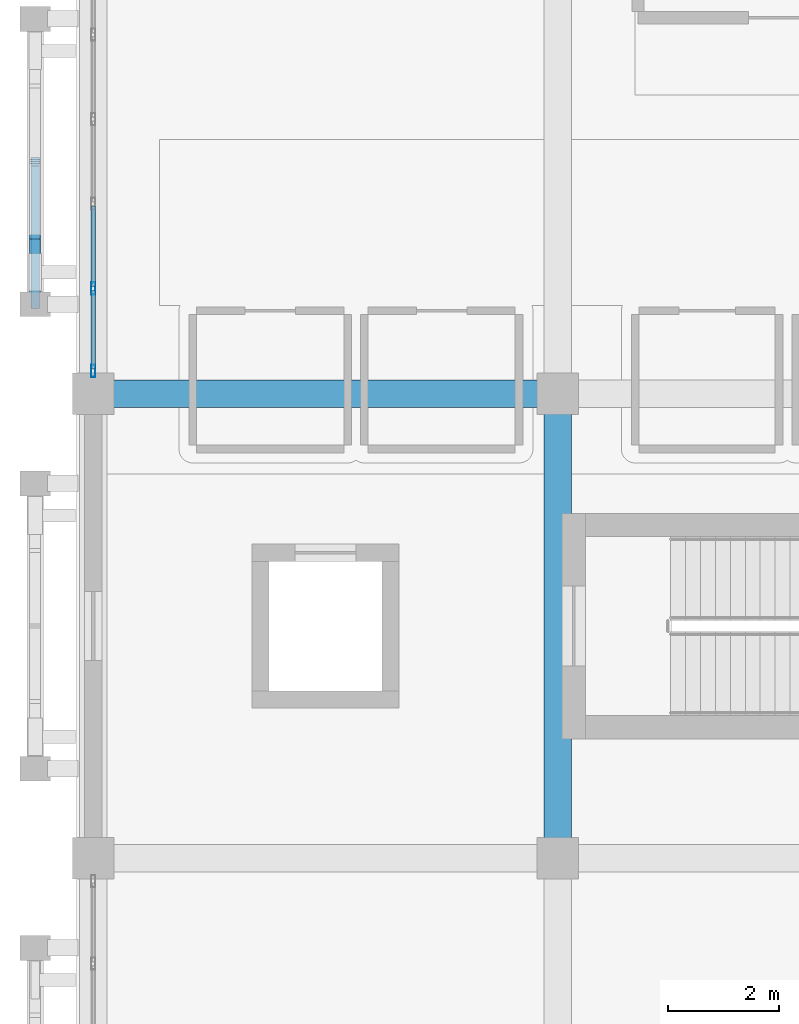
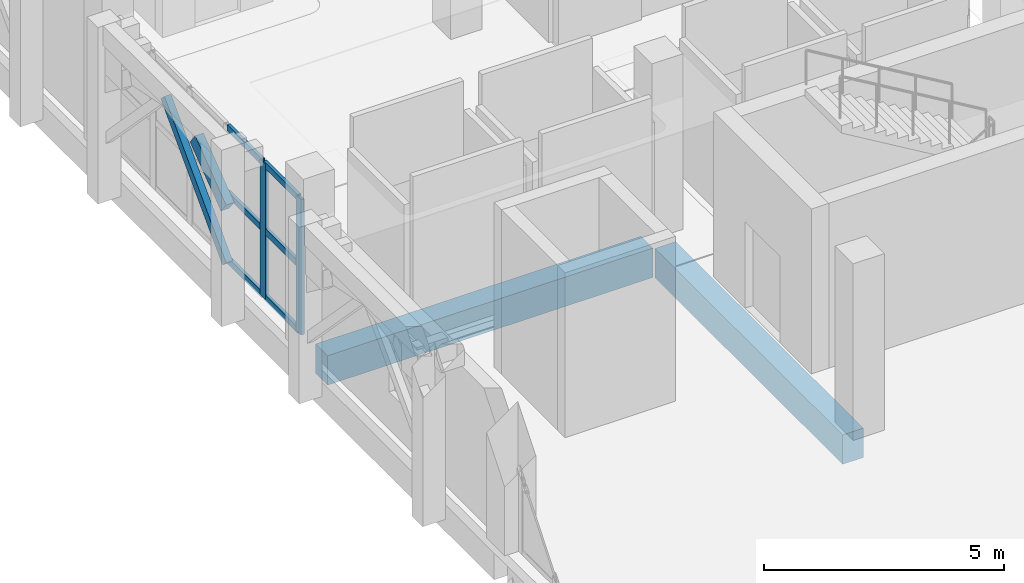
# One storey, part 43 of 114: 10 members, 2 beams, 1 element without a shape of its own.
"""IFC4 building model written with IfcOpenShell, lengths in metres."""

from ifc_helpers import new_model, si_unit, direction, frame, origin, origin_2d, place, context, subcontext, project, spatial, rectangle, hollow_rectangle, extrude, material, layer, layer_set, material_profile, profile_set, type_object, element, aggregate, save


model = new_model("IFC4")

# Units and contexts
model_context = context("Model", 3, precision=1e-05, world=origin(), true_north=direction((0.0, 1.0)))
body_context = subcontext(model_context, "Body", "Model", "MODEL_VIEW")
ifc_project = project(units=[si_unit("LENGTHUNIT", "METRE"), si_unit("AREAUNIT", "SQUARE_METRE"), si_unit("VOLUMEUNIT", "CUBIC_METRE"), si_unit("PLANEANGLEUNIT", "RADIAN"), si_unit("MASSUNIT", "GRAM", prefix="KILO")], contexts=[model_context])

# Site, building, storey
site_placement = place(None, origin())
site = spatial("IfcSite", under=ifc_project, at=site_placement, CompositionType="ELEMENT")
building_placement = place(site_placement, origin())
building = spatial("IfcBuilding", under=site, at=building_placement, Name="Xazarin Passage Department Store", CompositionType="ELEMENT")
storey_placement = place(building_placement, frame((0.0, 0.0, 14.39990234375)))
storey = spatial("IfcBuildingStorey", under=building, at=storey_placement, Name="L03", CompositionType="ELEMENT", Elevation=14.39990234375)

# Curtain wall, members
ifc_material_1 = material(Name="Bronze anodised aluminium", Category="aluminium")
ifc_layer = layer(ifc_material_1, 0.199951171875)
ifc_layer_set = layer_set([ifc_layer], Name="Bronze anodised aluminium")
curtain_wall_type = type_object("IfcCurtainWallType", Name="ARC-CW-VIT2", PredefinedType="NOTDEFINED", material=ifc_layer_set)
curtain_wall_placement = place(storey_placement, origin())
curtain_wall = element("IfcCurtainWall", 1, at=curtain_wall_placement, inside=storey, type_object=curtain_wall_type, Name="L03 V1 Curtain Wall 064", PredefinedType="NOTDEFINED")
ifc_material_profile_1 = material_profile(ifc_material_1, hollow_rectangle(XDim=0.074951171875, YDim=0.219970703125, WallThickness=0.0048828125, at=origin_2d()), Name="ALU 75x220")
ifc_profile_set_1 = profile_set([ifc_material_profile_1], Name="Bronze anodised aluminium")
member_type_1 = type_object("IfcMemberType", Name="ARC-CWM-75x220", PredefinedType="MULLION", material=ifc_profile_set_1)
member_1_placement = place(storey_placement, frame((0.0, 85.21240234375, 0.0), z_axis=(0.0, 0.0, 1.0), x_axis=(-1.0, 0.0, 0.0)))
member_1 = element("IfcMember", 2, at=member_1_placement, type_object=member_type_1, Name="CW2 mullion 1", PredefinedType="MULLION", context=body_context, shape_type="SweptSolid", body=[
    extrude(hollow_rectangle(XDim=0.074951171875, YDim=0.219970703125, WallThickness=0.0048828125, at=origin_2d()), origin(), (0.0, 0.0, 1.0), 3.4501953125),
])
member_2_placement = place(storey_placement, frame((0.0, 86.705078125, 0.0), z_axis=(0.0, 0.0, 1.0), x_axis=(-1.0, 0.0, 0.0)))
member_2 = element("IfcMember", 3, at=member_2_placement, type_object=member_type_1, Name="CW2 mullion 2", PredefinedType="MULLION", context=body_context, shape_type="SweptSolid", body=[
    extrude(hollow_rectangle(XDim=0.074951171875, YDim=0.219970703125, WallThickness=0.0048828125, at=origin_2d()), origin(), (0.0, 0.0, 1.0), 3.4501953125),
])
ifc_material_profile_2 = material_profile(ifc_material_1, hollow_rectangle(XDim=0.074951171875, YDim=0.159912109375, WallThickness=0.00439453125, at=origin_2d()), Name="ALU 75x160")
ifc_profile_set_2 = profile_set([ifc_material_profile_2], Name="Bronze anodised aluminium")
member_type_2 = type_object("IfcMemberType", Name="ARC-CWT-75x160", PredefinedType="USERDEFINED", material=ifc_profile_set_2)
member_3_placement = place(storey_placement, frame((0.0, 85.25, 0.03759765625), z_axis=(0.0, 1.0, 0.0), x_axis=(-1.0, 0.0, 0.0)))
member_3 = element("IfcMember", 4, at=member_3_placement, type_object=member_type_2, Name="CW2 transom 1.1", ObjectType="TRANSOM", PredefinedType="USERDEFINED", context=body_context, shape_type="SweptSolid", body=[
    extrude(hollow_rectangle(XDim=0.074951171875, YDim=0.159912109375, WallThickness=0.00439453125, at=origin_2d()), origin(), (0.0, 0.0, 1.0), 1.41748046875),
])
member_4_placement = place(storey_placement, frame((0.0, 85.25, 1.72509765625), z_axis=(0.0, 1.0, 0.0), x_axis=(-1.0, 0.0, 0.0)))
member_4 = element("IfcMember", 5, at=member_4_placement, type_object=member_type_2, Name="CW2 transom 1.2", ObjectType="TRANSOM", PredefinedType="USERDEFINED", context=body_context, shape_type="SweptSolid", body=[
    extrude(hollow_rectangle(XDim=0.074951171875, YDim=0.159912109375, WallThickness=0.00439453125, at=origin_2d()), origin(), (0.0, 0.0, 1.0), 1.41748046875),
])
member_5_placement = place(storey_placement, frame((0.0, 85.25, 3.41259765625), z_axis=(0.0, 1.0, 0.0), x_axis=(-1.0, 0.0, 0.0)))
member_5 = element("IfcMember", 6, at=member_5_placement, type_object=member_type_2, Name="CW2 transom 1.3", ObjectType="TRANSOM", PredefinedType="USERDEFINED", context=body_context, shape_type="SweptSolid", body=[
    extrude(hollow_rectangle(XDim=0.074951171875, YDim=0.159912109375, WallThickness=0.00439453125, at=origin_2d()), origin(), (0.0, 0.0, 1.0), 1.41748046875),
])
member_6_placement = place(storey_placement, frame((0.0, 86.742431640625, 0.03759765625), z_axis=(0.0, 1.0, 0.0), x_axis=(-1.0, 0.0, 0.0)))
member_6 = element("IfcMember", 7, at=member_6_placement, type_object=member_type_2, Name="CW2 transom 2.1", ObjectType="TRANSOM", PredefinedType="USERDEFINED", context=body_context, shape_type="SweptSolid", body=[
    extrude(hollow_rectangle(XDim=0.074951171875, YDim=0.159912109375, WallThickness=0.00439453125, at=origin_2d()), origin(), (0.0, 0.0, 1.0), 1.455078125),
])
member_7_placement = place(storey_placement, frame((0.0, 86.742431640625, 1.72509765625), z_axis=(0.0, 1.0, 0.0), x_axis=(-1.0, 0.0, 0.0)))
member_7 = element("IfcMember", 8, at=member_7_placement, type_object=member_type_2, Name="CW2 transom 2.2", ObjectType="TRANSOM", PredefinedType="USERDEFINED", context=body_context, shape_type="SweptSolid", body=[
    extrude(hollow_rectangle(XDim=0.074951171875, YDim=0.159912109375, WallThickness=0.00439453125, at=origin_2d()), origin(), (0.0, 0.0, 1.0), 1.455078125),
])
member_8_placement = place(storey_placement, frame((0.0, 86.742431640625, 3.41259765625), z_axis=(0.0, 1.0, 0.0), x_axis=(-1.0, 0.0, 0.0)))
member_8 = element("IfcMember", 9, at=member_8_placement, type_object=member_type_2, Name="CW2 transom 2.3", ObjectType="TRANSOM", PredefinedType="USERDEFINED", context=body_context, shape_type="SweptSolid", body=[
    extrude(hollow_rectangle(XDim=0.074951171875, YDim=0.159912109375, WallThickness=0.00439453125, at=origin_2d()), origin(), (0.0, 0.0, 1.0), 1.455078125),
])
aggregate(curtain_wall, [member_1, member_2, member_3, member_4, member_5, member_6, member_7, member_8])

# Beams
ifc_material_2 = material(Name="Concrete C35/45", Category="concrete")
ifc_material_profile_3 = material_profile(ifc_material_2, rectangle(XDim=0.5, YDim=0.75, at=origin_2d()), Name="RC 500x750")
ifc_profile_set_3 = profile_set([ifc_material_profile_3], Name="Concrete C35/45")
beam_type = type_object("IfcBeamType", Name="STR-BM-SP500x750", PredefinedType="SPANDREL", material=ifc_profile_set_3)
for number, where, z_axis, x_axis, name in (
    (10, (0.280029296875, 84.800048828125, -0.6748046875), (1.0, 0.0, 0.0), (0.0, 1.0, 0.0), "L03 Grid Beam M/1-2"),
    (11, (8.39990234375, 76.679931640625, -0.6748046875), (0.0, 1.0, 0.0), (-1.0, 0.0, 0.0), "L03 Grid Beam 2/L-M"),
):
    element("IfcBeam", number, at=place(storey_placement, frame(where, z_axis=z_axis, x_axis=x_axis)), inside=storey, type_object=beam_type, Name=name, PredefinedType="SPANDREL", context=body_context, shape_type="SweptSolid", body=[
        extrude(rectangle(XDim=0.5, YDim=0.75, at=origin_2d()), origin(), (0.0, 0.0, 1.0), 7.840087890625),
    ])

# Members
ifc_material_3 = material(Name="Concrete C40/50", Category="concrete")
ifc_material_profile_4 = material_profile(ifc_material_3, rectangle(XDim=0.199951171875, YDim=0.360107421875, at=origin_2d()), Name="RC 200x360")
ifc_profile_set_4 = profile_set([ifc_material_profile_4], Name="Concrete C40/50")
member_type_3 = type_object("IfcMemberType", Name="STR-MEM-ARC360", PredefinedType="CHORD", material=ifc_profile_set_4)
member_9_placement = place(storey_placement, frame((-1.050048828125, 86.419921875, 2.830078125), z_axis=(0.0, 0.79440903847, 0.607383140692), x_axis=(-1.0, 0.0, 0.0)))
element("IfcMember", 12, at=member_9_placement, inside=storey, type_object=member_type_3, Name="L03 V1 Pierced Lattice Curved Arch 012.1", PredefinedType="CHORD", context=body_context, shape_type="SweptSolid", body=[
    extrude(rectangle(XDim=0.199951171875, YDim=0.360107421875, at=origin_2d()), origin(), (0.0, 0.0, 1.0), 1.623779296875),
])
ifc_material_profile_5 = material_profile(ifc_material_3, rectangle(XDim=0.159912109375, YDim=0.219970703125, at=origin_2d()), Name="RC 160x220")
ifc_profile_set_5 = profile_set([ifc_material_profile_5], Name="Concrete C40/50")
member_type_4 = type_object("IfcMemberType", Name="STR-MEM-TRC220", PredefinedType="CHORD", material=ifc_profile_set_5)
member_10_placement = place(storey_placement, frame((-1.050048828125, 89.0, 4.080078125), z_axis=(0.0, -0.693558444435, -0.720400363793), x_axis=(1.0, 0.0, 0.0)))
element("IfcMember", 13, at=member_10_placement, inside=storey, type_object=member_type_4, Name="L03 V1 Upper Lattice Tracery Arch 012L", PredefinedType="CHORD", context=body_context, shape_type="SweptSolid", body=[
    extrude(rectangle(XDim=0.159912109375, YDim=0.219970703125, at=origin_2d()), origin(), (0.0, 0.0, 1.0), 3.719970703125),
])

save(model, "model.ifc")
